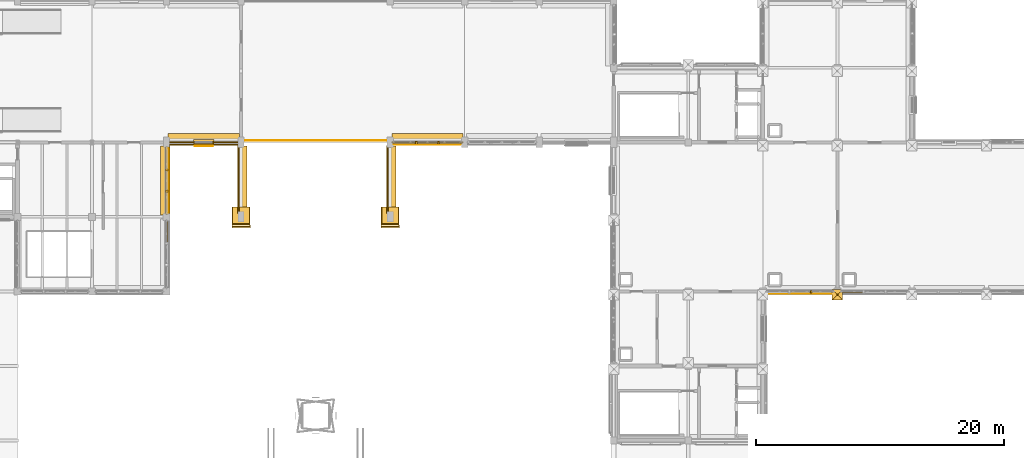
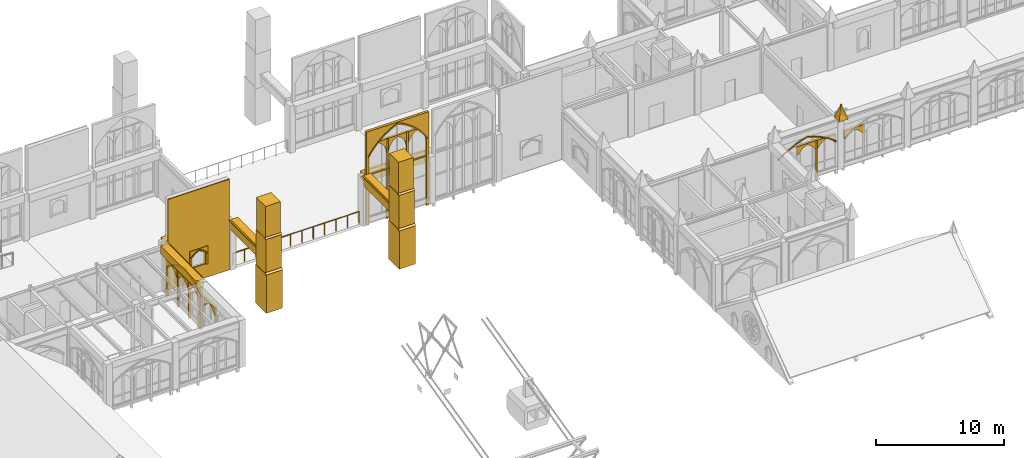
# One storey, part 99 of 108: 47 coverings, 1 railing.
"""IFC4 building model written with IfcOpenShell, lengths in metres."""

import ifcopenshell
import ifcopenshell.guid

model = None  # the IFC model being written
_history = None  # IfcOwnerHistory: only IFC2X3 demands one
_inside = {}  # id of a spatial element -> (the spatial element, [elements in it])
_under = {}  # id of a project, library or spatial element -> (it, [spatial elements below it])
_declared = {}  # id of a project -> (the project, [libraries it declares])
_typed = {}  # id of a type object -> (the type object, [elements of that type])
_made_of = {}  # id of a material, layer set ... -> (it, [elements and type objects made of it])


def new_model(schema):
    """Start an empty IFC model of exactly this schema.

    Asked for "IFC4X3", IfcOpenShell would pick the latest addendum, in which some entities
    have other attributes; the version numbers below select the first issue.
    IFC2X3 requires an IfcOwnerHistory on every rooted entity: one is made here for all.
    """
    global model, _history
    if schema == "IFC4X3":
        model = ifcopenshell.file(schema_version=(4, 3, 0, 0))
    else:
        model = ifcopenshell.file(schema=schema)
    _inside.clear()
    _under.clear()
    _declared.clear()
    _typed.clear()
    _made_of.clear()
    _history = None
    if model.schema == "IFC2X3":
        org = make("IfcOrganization", Name="unknown")
        user = make(
            "IfcPersonAndOrganization",
            ThePerson=make("IfcPerson", FamilyName="unknown"),
            TheOrganization=org,
        )
        app = make(
            "IfcApplication",
            ApplicationDeveloper=org,
            Version="unknown",
            ApplicationFullName="unknown",
            ApplicationIdentifier="unknown",
        )
        _history = make(
            "IfcOwnerHistory",
            OwningUser=user,
            OwningApplication=app,
            ChangeAction="ADDED",
            CreationDate=0,
        )
    return model


def make(cls, **values):
    """One entity of the class cls with the attributes given. An attribute that is None is left unset."""
    return model.create_entity(
        cls, **{name: value for name, value in values.items() if value is not None}
    )


def rooted(cls, **values):
    """An entity with a GlobalId (a new one), such as an element, a storey or a relation."""
    return make(cls, GlobalId=ifcopenshell.guid.new(), OwnerHistory=_history, **values)


def si_unit(unit_type, name, prefix=None):
    """IfcSIUnit, for example si_unit("LENGTHUNIT", "METRE", prefix="MILLI")."""
    return make("IfcSIUnit", UnitType=unit_type, Prefix=prefix, Name=name)


def assignment(units):
    """IfcUnitAssignment: the units of a project."""
    return None if units is None else make("IfcUnitAssignment", Units=units)


def point(xyz):
    """IfcCartesianPoint."""
    return None if xyz is None else make("IfcCartesianPoint", Coordinates=xyz)


def direction(xyz):
    """IfcDirection."""
    return None if xyz is None else make("IfcDirection", DirectionRatios=xyz)


def frame(location, z_axis=None, x_axis=None):
    """IfcAxis2Placement3D, a coordinate frame: its origin and axes. An axis left out is left unset."""
    return make(
        "IfcAxis2Placement3D",
        Location=point(location),
        Axis=direction(z_axis),
        RefDirection=direction(x_axis),
    )


def frame_2d(location, x_axis=None):
    """IfcAxis2Placement2D, a coordinate frame in the plane: its origin and x axis."""
    return make(
        "IfcAxis2Placement2D", Location=point(location), RefDirection=direction(x_axis)
    )


def origin():
    """The frame at (0, 0, 0) with its axes left unset."""
    return frame((0.0, 0.0, 0.0))


def origin_2d():
    """The frame at (0, 0) in the plane with its x axis left unset."""
    return frame_2d((0.0, 0.0))


def place(relative_to, where):
    """IfcLocalPlacement: puts the frame where relative to a parent placement (None: the world)."""
    return make(
        "IfcLocalPlacement", PlacementRelTo=relative_to, RelativePlacement=where
    )


def context(
    kind, dimensions, precision=None, world=None, true_north=None, identifier=None
):
    """IfcGeometricRepresentationContext, for example the 3D "Model" context."""
    return make(
        "IfcGeometricRepresentationContext",
        ContextIdentifier=identifier,
        ContextType=kind,
        CoordinateSpaceDimension=dimensions,
        Precision=precision,
        WorldCoordinateSystem=world,
        TrueNorth=true_north,
    )


def subcontext(parent, identifier, kind, view, scale=None):
    """IfcGeometricRepresentationSubContext, for example "Body" below "Model"."""
    return make(
        "IfcGeometricRepresentationSubContext",
        ContextIdentifier=identifier,
        ContextType=kind,
        ParentContext=parent,
        TargetScale=scale,
        TargetView=view,
    )


def project(units=None, contexts=None):
    """IfcProject with its units and contexts."""
    return rooted(
        "IfcProject",
        Name="project",
        RepresentationContexts=contexts,
        UnitsInContext=assignment(units),
    )


def spatial(cls, under=None, at=None, **own):
    """A site, building, storey or space (cls), placed at a placement, below another one or the project."""
    s = rooted(cls, ObjectPlacement=at, **own)
    if under is not None:
        _under.setdefault(under.id(), (under, []))[1].append(s)
    return s


def polyline(points):
    """IfcPolyline through the points."""
    return make("IfcPolyline", Points=[point(p) for p in points])


def profile(cls, at=None, kind="AREA", **sizes):
    """A parametric profile (cls). Its sizes go by their IFC names, for example OverallWidth=200.0."""
    return make(cls, ProfileType=kind, Position=at, **sizes)


def rectangle(**sizes):
    """IfcRectangleProfileDef."""
    return profile("IfcRectangleProfileDef", **sizes)


def circle(**sizes):
    """IfcCircleProfileDef."""
    return profile("IfcCircleProfileDef", **sizes)


def outline(outer, holes=None, kind="AREA"):
    """IfcArbitraryClosedProfileDef: a profile drawn as a closed curve; with holes, ...WithVoids."""
    if holes is None:
        return make("IfcArbitraryClosedProfileDef", ProfileType=kind, OuterCurve=outer)
    return make(
        "IfcArbitraryProfileDefWithVoids",
        ProfileType=kind,
        OuterCurve=outer,
        InnerCurves=holes,
    )


def extrude(swept, where, along, depth):
    """IfcExtrudedAreaSolid: the profile swept, set in the frame where, extruded along a direction by depth."""
    return make(
        "IfcExtrudedAreaSolid",
        SweptArea=swept,
        Position=where,
        ExtrudedDirection=direction(along),
        Depth=depth,
    )


def shape(context_of_items, identifier, shape_type, items):
    """IfcShapeRepresentation: the items that make up one representation, for example the "Body"."""
    return make(
        "IfcShapeRepresentation",
        ContextOfItems=context_of_items,
        RepresentationIdentifier=identifier,
        RepresentationType=shape_type,
        Items=items,
    )


def material(Name=None, Category=None):
    """IfcMaterial."""
    return make("IfcMaterial", Name=Name, Category=Category)


def made_of(thing, what):
    """Note that an element or type object is made of a material, layer set ...; save() writes the relation."""
    if what is not None:
        _made_of.setdefault(what.id(), (what, []))[1].append(thing)
    return thing


def type_object(cls, material=None, **own):
    """A type object (cls), such as IfcWallType, which elements share."""
    return made_of(rooted(cls, **own), material)


def element(
    cls,
    number,
    at=None,
    inside=None,
    cuts=None,
    type_object=None,
    material=None,
    context=None,
    identifier="Body",
    shape_type=None,
    held_by="IfcProductDefinitionShape",
    body=None,
    shapes=None,
    **own,
):
    """One element of the class cls, such as IfcWall. Its Tag is "e" and its number.

    at: its placement. inside: the storey or other place that contains it. cuts: it is an
    opening in that element (IfcRelVoidsElement). A single representation is given by context,
    identifier, shape_type and body (its items); several are given by shapes. held_by: the class
    of the entity that holds the representations. save() writes the other relations.
    """
    e = rooted(cls, Tag="e%d" % number, ObjectPlacement=at, **own)
    if body is not None:
        shapes = [shape(context, identifier, shape_type, body)]
    if shapes is not None:
        e.Representation = make(held_by, Representations=shapes)
    if inside is not None:
        _inside.setdefault(inside.id(), (inside, []))[1].append(e)
    if cuts is not None:
        rooted(
            "IfcRelVoidsElement", RelatingBuildingElement=cuts, RelatedOpeningElement=e
        )
    if type_object is not None:
        _typed.setdefault(type_object.id(), (type_object, []))[1].append(e)
    return made_of(e, material)


def aggregate(whole, parts):
    """IfcRelAggregates: a whole, such as a stair, and the parts it consists of."""
    return rooted("IfcRelAggregates", RelatingObject=whole, RelatedObjects=parts)


def save(model, path):
    """Write the relations noted so far, then the file.

    IfcRelAggregates (storeys below a building ...), IfcRelContainedInSpatialStructure (elements
    in a storey), IfcRelDefinesByType, IfcRelAssociatesMaterial and IfcRelDeclares: one each for
    every whole, place, type object, material and project.
    """
    for whole, parts in _under.values():
        aggregate(whole, parts)
    for where, things in _inside.values():
        rooted(
            "IfcRelContainedInSpatialStructure",
            RelatedElements=things,
            RelatingStructure=where,
        )
    for kind, things in _typed.values():
        rooted("IfcRelDefinesByType", RelatedObjects=things, RelatingType=kind)
    for what, things in _made_of.values():
        rooted("IfcRelAssociatesMaterial", RelatedObjects=things, RelatingMaterial=what)
    for by, libraries in _declared.values():
        rooted("IfcRelDeclares", RelatingContext=by, RelatedDefinitions=libraries)
    model.write(path)


model = new_model("IFC4")

# Units and contexts
model_context = context("Model", 3, precision=1e-05, world=origin(), true_north=direction((0.0, 1.0)))
body_context = subcontext(model_context, "Body", "Model", "MODEL_VIEW")
ifc_project = project(units=[si_unit("LENGTHUNIT", "METRE"), si_unit("AREAUNIT", "SQUARE_METRE"), si_unit("VOLUMEUNIT", "CUBIC_METRE"), si_unit("PLANEANGLEUNIT", "RADIAN"), si_unit("MASSUNIT", "GRAM", prefix="KILO")], contexts=[model_context])

# Site, building, storey
site_placement = place(None, origin())
site = spatial("IfcSite", under=ifc_project, at=site_placement, CompositionType="ELEMENT")
building_placement = place(site_placement, origin())
building = spatial("IfcBuilding", under=site, at=building_placement, Name="Cumevento Cable Car Station", CompositionType="ELEMENT")
storey_placement = place(building_placement, frame((0.0, 0.0, 13.5)))
storey = spatial("IfcBuildingStorey", under=building, at=storey_placement, Name="L04", CompositionType="ELEMENT", Elevation=13.5)

# Railing
ifc_material_1 = material(Name="Painted Galvanised Architectural Steel", Category="steel")
railing_type = type_object("IfcRailingType", Name="Terrace Guardrail GR-P115 1150", PredefinedType="GUARDRAIL", material=ifc_material_1)
railing_placement = place(storey_placement, frame((88.320068359375, 45.139892578125, 0.0)))
element("IfcRailing", 1, at=railing_placement, inside=storey, type_object=railing_type, Name="Boarding Hall South Downhill Cabin Throat Safety Balustrade", PredefinedType="GUARDRAIL", context=body_context, shape_type="SweptSolid", body=[
    extrude(circle(Radius=0.02392578125, at=origin_2d()), frame((0.0, 0.0, 1.1259765625), z_axis=(1.0, 0.0, 0.0), x_axis=(0.0, 1.0, 0.0)), (0.0, 0.0, 1.0), 11.35986328125),
    extrude(circle(Radius=0.02099609375, at=origin_2d()), origin(), (0.0, 0.0, 1.0), 1.101806640625),
    extrude(circle(Radius=0.02099609375, at=origin_2d()), frame((1.03271484375, 0.0, 0.0)), (0.0, 0.0, 1.0), 1.101806640625),
    extrude(circle(Radius=0.02099609375, at=origin_2d()), frame((2.0654296875, 0.0, 0.0)), (0.0, 0.0, 1.0), 1.101806640625),
    extrude(circle(Radius=0.02099609375, at=origin_2d()), frame((3.09814453125, 0.0, 0.0)), (0.0, 0.0, 1.0), 1.101806640625),
    extrude(circle(Radius=0.02099609375, at=origin_2d()), frame((4.130859375, 0.0, 0.0)), (0.0, 0.0, 1.0), 1.101806640625),
    extrude(circle(Radius=0.02099609375, at=origin_2d()), frame((5.16357421875, 0.0, 0.0)), (0.0, 0.0, 1.0), 1.101806640625),
    extrude(circle(Radius=0.02099609375, at=origin_2d()), frame((6.1962890625, 0.0, 0.0)), (0.0, 0.0, 1.0), 1.101806640625),
    extrude(circle(Radius=0.02099609375, at=origin_2d()), frame((7.22900390625, 0.0, 0.0)), (0.0, 0.0, 1.0), 1.101806640625),
    extrude(circle(Radius=0.02099609375, at=origin_2d()), frame((8.26171875, 0.0, 0.0)), (0.0, 0.0, 1.0), 1.101806640625),
    extrude(circle(Radius=0.02099609375, at=origin_2d()), frame((9.29443359375, 0.0, 0.0)), (0.0, 0.0, 1.0), 1.101806640625),
    extrude(circle(Radius=0.02099609375, at=origin_2d()), frame((10.3271484375, 0.0, 0.0)), (0.0, 0.0, 1.0), 1.101806640625),
    extrude(circle(Radius=0.02099609375, at=origin_2d()), frame((11.35986328125, 0.0, 0.0)), (0.0, 0.0, 1.0), 1.101806640625),
])

# Coverings
ifc_material_2 = material(Name="Gnaisse Facoidal Stone Ashlar 85 MPa", Category="masonry")
covering_type = type_object("IfcCoveringType", Name="Gnaisse Ashlar Cladding CV-CL01", PredefinedType="CLADDING", material=ifc_material_2)
for number, where, z_axis, x_axis, name in (
    (2, (135.580078125, 33.159912109375, 4.8701171875), (0.0, 0.951573760476, 0.30742052367), (1.0, 0.0, 0.0), "Gothic Buttress Pinnacle Spire Facet 1 bt:136.0:33.0"),
    (3, (136.419921875, 33.159912109375, 4.8701171875), (0.951573760476, 0.0, 0.30742052367), (0.0, -1.0, 0.0), "Gothic Buttress Pinnacle Spire Facet 2 bt:136.0:33.0"),
    (4, (136.419921875, 32.320068359375, 4.8701171875), (0.0, -0.951573760476, 0.30742052367), (-1.0, 0.0, 0.0), "Gothic Buttress Pinnacle Spire Facet 3 bt:136.0:33.0"),
    (5, (135.580078125, 32.320068359375, 4.8701171875), (-0.951573760476, 0.0, 0.30742052367), (0.0, 1.0, 0.0), "Gothic Buttress Pinnacle Spire Facet 4 bt:136.0:33.0"),
):
    element("IfcCovering", number, at=place(storey_placement, frame(where, z_axis=z_axis, x_axis=x_axis)), inside=storey, type_object=covering_type, Name=name, PredefinedType="CLADDING", context=body_context, shape_type="SweptSolid", body=[
        extrude(outline(polyline([(0.0, 0.0), (0.83984375, 0.0), (0.419921875, -1.3659526370817139), (0.0, 0.0)])), origin(), (0.0, 0.0, -1.0), 0.0849609375),
    ])
covering_1_placement = place(storey_placement, frame((81.85009765625, 41.925048828125, 3.737060546875), z_axis=(0.0, 0.0, 1.0), x_axis=(0.0, -1.0, 0.0)))
element("IfcCovering", 6, at=covering_1_placement, inside=storey, type_object=covering_type, Name="Gothic Stone Spandrel Stringcourse sc:0705", PredefinedType="CLADDING", context=body_context, shape_type="SweptSolid", body=[
    extrude(rectangle(XDim=5.5400390625, YDim=0.659912109375, at=origin_2d()), origin(), (0.0, 0.0, 1.0), 0.7470703125),
])
covering_2_placement = place(storey_placement, frame((82.20751953125, 41.925048828125, 4.35400390625), z_axis=(0.0, 0.0, 1.0), x_axis=(0.0, -1.0, 0.0)))
element("IfcCovering", 7, at=covering_2_placement, inside=storey, type_object=covering_type, Name="Gothic Cornice Dripstone Lip sc:0705", PredefinedType="CLADDING", context=body_context, shape_type="SweptSolid", body=[
    extrude(rectangle(XDim=5.580078125, YDim=0.114990234375, at=origin_2d()), origin(), (0.0, 0.0, 1.0), 0.1298828125),
])
covering_3_placement = place(storey_placement, frame((85.0, 45.3701171875, 3.737060546875), z_axis=(0.0, 0.0, 1.0), x_axis=(-1.0, 0.0, 0.0)))
element("IfcCovering", 8, at=covering_3_placement, inside=storey, type_object=covering_type, Name="Gothic Stone Spandrel Stringcourse sc:0733", PredefinedType="CLADDING", context=body_context, shape_type="SweptSolid", body=[
    extrude(rectangle(XDim=5.739990234375, YDim=0.659912109375, at=origin_2d()), origin(), (0.0, 0.0, 1.0), 0.7470703125),
])
covering_4_placement = place(storey_placement, frame((85.0, 45.012451171875, 4.35400390625), z_axis=(0.0, 0.0, 1.0), x_axis=(-1.0, 0.0, 0.0)))
element("IfcCovering", 9, at=covering_4_placement, inside=storey, type_object=covering_type, Name="Gothic Cornice Dripstone Lip sc:0733", PredefinedType="CLADDING", context=body_context, shape_type="SweptSolid", body=[
    extrude(rectangle(XDim=5.780029296875, YDim=0.114990234375, at=origin_2d()), origin(), (0.0, 0.0, 1.0), 0.1298828125),
])
covering_5_placement = place(storey_placement, frame((103.0, 45.3701171875, 3.782958984375), z_axis=(0.0, 0.0, 1.0), x_axis=(-1.0, 0.0, 0.0)))
element("IfcCovering", 10, at=covering_5_placement, inside=storey, type_object=covering_type, Name="Gothic Stone Spandrel Stringcourse sc:0737", PredefinedType="CLADDING", context=body_context, shape_type="SweptSolid", body=[
    extrude(rectangle(XDim=5.739990234375, YDim=0.659912109375, at=origin_2d()), origin(), (0.0, 0.0, 1.0), 0.7470703125),
])
covering_6_placement = place(storey_placement, frame((103.0, 45.012451171875, 4.400146484375), z_axis=(0.0, 0.0, 1.0), x_axis=(-1.0, 0.0, 0.0)))
element("IfcCovering", 11, at=covering_6_placement, inside=storey, type_object=covering_type, Name="Gothic Cornice Dripstone Lip sc:0737", PredefinedType="CLADDING", context=body_context, shape_type="SweptSolid", body=[
    extrude(rectangle(XDim=5.780029296875, YDim=0.114990234375, at=origin_2d()), origin(), (0.0, 0.0, 1.0), 0.1298828125),
])
covering_7_placement = place(storey_placement, frame((88.14306640625, 42.0, 3.83203125), z_axis=(0.0, 0.0, 1.0), x_axis=(0.0, 1.0, 0.0)))
element("IfcCovering", 12, at=covering_7_placement, inside=storey, type_object=covering_type, Name="Gothic Stone Spandrel Stringcourse sc:0870", PredefinedType="CLADDING", context=body_context, shape_type="SweptSolid", body=[
    extrude(rectangle(XDim=5.389892578125, YDim=0.674072265625, at=origin_2d()), origin(), (0.0, 0.0, 1.0), 0.947998046875),
])
covering_8_placement = place(storey_placement, frame((87.778564453125, 42.0, 4.650146484375), z_axis=(0.0, 0.0, 1.0), x_axis=(0.0, 1.0, 0.0)))
element("IfcCovering", 13, at=covering_8_placement, inside=storey, type_object=covering_type, Name="Gothic Cornice Dripstone Lip sc:0870", PredefinedType="CLADDING", context=body_context, shape_type="SweptSolid", body=[
    extrude(rectangle(XDim=5.429931640625, YDim=0.114990234375, at=origin_2d()), origin(), (0.0, 0.0, 1.0), 0.1298828125),
])
covering_9_placement = place(storey_placement, frame((100.14306640625, 42.0, 3.83203125), z_axis=(0.0, 0.0, 1.0), x_axis=(0.0, 1.0, 0.0)))
element("IfcCovering", 14, at=covering_9_placement, inside=storey, type_object=covering_type, Name="Gothic Stone Spandrel Stringcourse sc:0871", PredefinedType="CLADDING", context=body_context, shape_type="SweptSolid", body=[
    extrude(rectangle(XDim=5.389892578125, YDim=0.674072265625, at=origin_2d()), origin(), (0.0, 0.0, 1.0), 0.947998046875),
])
covering_10_placement = place(storey_placement, frame((99.778564453125, 42.0, 4.650146484375), z_axis=(0.0, 0.0, 1.0), x_axis=(0.0, 1.0, 0.0)))
element("IfcCovering", 15, at=covering_10_placement, inside=storey, type_object=covering_type, Name="Gothic Cornice Dripstone Lip sc:0871", PredefinedType="CLADDING", context=body_context, shape_type="SweptSolid", body=[
    extrude(rectangle(XDim=5.429931640625, YDim=0.114990234375, at=origin_2d()), origin(), (0.0, 0.0, 1.0), 0.1298828125),
])
covering_11_placement = place(storey_placement, frame((88.0, 38.969970703125, 0.0), z_axis=(0.0, 0.0, 1.0), x_axis=(1.0, 0.0, 0.0)))
element("IfcCovering", 16, at=covering_11_placement, inside=storey, type_object=covering_type, Name="Stepped Gothic Stone Buttress Tier 1 ptl_butt_f:2:88", PredefinedType="CLADDING", context=body_context, shape_type="SweptSolid", body=[
    extrude(rectangle(XDim=1.4599609375, YDim=1.659912109375, at=origin_2d()), origin(), (0.0, 0.0, 1.0), 3.68603515625),
])
covering_12_placement = place(storey_placement, frame((87.25, 38.1201171875, 3.666015625), z_axis=(0.0, -0.711135781079, 0.703054692658), x_axis=(1.0, 0.0, 0.0)))
element("IfcCovering", 17, at=covering_12_placement, inside=storey, type_object=covering_type, Name="Gothic Buttress Sloped Stone Weathering 1 ptl_butt_f:2:88", PredefinedType="CLADDING", context=body_context, shape_type="SweptSolid", body=[
    extrude(outline(polyline([(0.0, 0.0), (1.5, 0.0), (1.5, 0.24169083397703695), (0.0, 0.24169083397703695), (0.0, 0.0)])), origin(), (0.0, 0.0, -1.0), 0.090087890625),
])
covering_13_placement = place(storey_placement, frame((88.0, 39.030029296875, 3.4921875), z_axis=(0.0, 0.0, 1.0), x_axis=(1.0, 0.0, 0.0)))
element("IfcCovering", 18, at=covering_13_placement, inside=storey, type_object=covering_type, Name="Stepped Gothic Stone Buttress Tier 2 ptl_butt_f:2:88", PredefinedType="CLADDING", context=body_context, shape_type="SweptSolid", body=[
    extrude(rectangle(XDim=1.39990234375, YDim=1.5400390625, at=origin_2d()), origin(), (0.0, 0.0, 1.0), 3.491943359375),
])
covering_14_placement = place(storey_placement, frame((87.280029296875, 38.239990234375, 6.964111328125), z_axis=(0.0, -0.713916320815, 0.70023102393), x_axis=(1.0, 0.0, 0.0)))
element("IfcCovering", 19, at=covering_14_placement, inside=storey, type_object=covering_type, Name="Gothic Buttress Sloped Stone Weathering 2 ptl_butt_f:2:88", PredefinedType="CLADDING", context=body_context, shape_type="SweptSolid", body=[
    extrude(outline(polyline([(0.0, 0.0), (1.43994140625, 0.0), (1.43994140625, 0.21407555310624363), (0.0, 0.21407555310624363), (0.0, 0.0)])), origin(), (0.0, 0.0, -1.0), 0.090087890625),
])
covering_15_placement = place(storey_placement, frame((88.0, 39.080078125, 6.7900390625), z_axis=(0.0, 0.0, 1.0), x_axis=(1.0, 0.0, 0.0)))
element("IfcCovering", 20, at=covering_15_placement, inside=storey, type_object=covering_type, Name="Stepped Gothic Stone Buttress Tier 3 ptl_butt_f:2:88", PredefinedType="CLADDING", context=body_context, shape_type="SweptSolid", body=[
    extrude(rectangle(XDim=1.340087890625, YDim=1.43994140625, at=origin_2d()), origin(), (0.0, 0.0, 1.0), 3.25),
])
covering_16_placement = place(storey_placement, frame((100.0, 38.969970703125, 0.0), z_axis=(0.0, 0.0, 1.0), x_axis=(1.0, 0.0, 0.0)))
element("IfcCovering", 21, at=covering_16_placement, inside=storey, type_object=covering_type, Name="Stepped Gothic Stone Buttress Tier 1 ptl_butt_f:2:100", PredefinedType="CLADDING", context=body_context, shape_type="SweptSolid", body=[
    extrude(rectangle(XDim=1.4599609375, YDim=1.659912109375, at=origin_2d()), origin(), (0.0, 0.0, 1.0), 3.68603515625),
])
covering_17_placement = place(storey_placement, frame((99.25, 38.1201171875, 3.666015625), z_axis=(0.0, -0.711135781079, 0.703054692658), x_axis=(1.0, 0.0, 0.0)))
element("IfcCovering", 22, at=covering_17_placement, inside=storey, type_object=covering_type, Name="Gothic Buttress Sloped Stone Weathering 1 ptl_butt_f:2:100", PredefinedType="CLADDING", context=body_context, shape_type="SweptSolid", body=[
    extrude(outline(polyline([(0.0, 0.0), (1.5, 0.0), (1.5, 0.24169083397703695), (0.0, 0.24169083397703695), (0.0, 0.0)])), origin(), (0.0, 0.0, -1.0), 0.090087890625),
])
covering_18_placement = place(storey_placement, frame((100.0, 39.030029296875, 3.4921875), z_axis=(0.0, 0.0, 1.0), x_axis=(1.0, 0.0, 0.0)))
element("IfcCovering", 23, at=covering_18_placement, inside=storey, type_object=covering_type, Name="Stepped Gothic Stone Buttress Tier 2 ptl_butt_f:2:100", PredefinedType="CLADDING", context=body_context, shape_type="SweptSolid", body=[
    extrude(rectangle(XDim=1.39990234375, YDim=1.5400390625, at=origin_2d()), origin(), (0.0, 0.0, 1.0), 3.491943359375),
])
covering_19_placement = place(storey_placement, frame((99.280029296875, 38.239990234375, 6.964111328125), z_axis=(0.0, -0.713916320815, 0.70023102393), x_axis=(1.0, 0.0, 0.0)))
element("IfcCovering", 24, at=covering_19_placement, inside=storey, type_object=covering_type, Name="Gothic Buttress Sloped Stone Weathering 2 ptl_butt_f:2:100", PredefinedType="CLADDING", context=body_context, shape_type="SweptSolid", body=[
    extrude(outline(polyline([(0.0, 0.0), (1.43994140625, 0.0), (1.43994140625, 0.21407555310624363), (0.0, 0.21407555310624363), (0.0, 0.0)])), origin(), (0.0, 0.0, -1.0), 0.090087890625),
])
covering_20_placement = place(storey_placement, frame((100.0, 39.080078125, 6.7900390625), z_axis=(0.0, 0.0, 1.0), x_axis=(1.0, 0.0, 0.0)))
element("IfcCovering", 25, at=covering_20_placement, inside=storey, type_object=covering_type, Name="Stepped Gothic Stone Buttress Tier 3 ptl_butt_f:2:100", PredefinedType="CLADDING", context=body_context, shape_type="SweptSolid", body=[
    extrude(rectangle(XDim=1.340087890625, YDim=1.43994140625, at=origin_2d()), origin(), (0.0, 0.0, 1.0), 3.25),
])
covering_21_placement = place(storey_placement, frame((82.0, 38.594970703125, 2.36181640625), z_axis=(0.0, 0.0, 1.0), x_axis=(0.0, -1.0, 0.0)))
element("IfcCovering", 26, at=covering_21_placement, inside=storey, type_object=covering_type, Name="Gothic Ogival Pointed-Arch Stone Spandrel cw_ogival:0147:sub:0", PredefinedType="CLADDING", context=body_context, shape_type="SweptSolid", body=[
    extrude(outline(polyline([(-0.02001953125, 0.0), (-0.02001953125, 0.7705078125), (1.68994140625, 0.7705078125), (1.68994140625, 0.0), (1.6298828125, 0.0), (1.528564453125, 0.141357421875), (1.412841796875, 0.271240234375), (1.2841796875, 0.388427734375), (1.143798828125, 0.491455078125), (0.99365234375, 0.5791015625), (0.8349609375, 0.650390625), (0.67626953125, 0.5791015625), (0.526123046875, 0.491455078125), (0.3857421875, 0.388427734375), (0.257080078125, 0.271240234375), (0.141357421875, 0.141357421875), (0.0400390625, 0.0), (-0.02001953125, 0.0)])), frame((0.0, 0.1240234375, 0.0), z_axis=(0.0, -1.0, 0.0), x_axis=(1.0, 0.0, 0.0)), (0.0, 0.0, 1.0), 0.199951171875),
])
placement_1 = place(storey_placement, frame((82.0, 44.574951171875, -0.320068359375), z_axis=(0.0, 0.0, 1.0), x_axis=(0.0, -1.0, 0.0)))
element("IfcCovering", 27, at=placement_1, inside=storey, type_object=covering_type, Name="Gothic Ogival Pointed-Arch Stone Spandrel cw_ogival:0148", PredefinedType="CLADDING", context=body_context, shape_type="SweptSolid", body=[
    extrude(outline(polyline([(-0.080078125, 0.0), (-0.080078125, 4.197021484375), (5.3798828125, 4.197021484375), (5.3798828125, 0.0), (5.139892578125, 0.0), (5.139892578125, 2.879638671875), (4.855224609375, 3.071044921875), (4.561279296875, 3.24853515625), (4.259033203125, 3.411376953125), (3.949462890625, 3.559326171875), (3.6328125, 3.6923828125), (3.310302734375, 3.809814453125), (2.982421875, 3.911376953125), (2.64990234375, 3.996826171875), (2.317626953125, 3.911376953125), (1.98974609375, 3.809814453125), (1.667236328125, 3.6923828125), (1.3505859375, 3.559326171875), (1.041015625, 3.411376953125), (0.73876953125, 3.24853515625), (0.44482421875, 3.071044921875), (0.159912109375, 2.879638671875), (0.159912109375, 0.0), (-0.080078125, 0.0)])), frame((0.0, 0.139892578125, 0.0), z_axis=(0.0, -1.0, 0.0), x_axis=(1.0, 0.0, 0.0)), (0.0, 0.0, 1.0), 0.219970703125),
])
covering_23_placement = place(storey_placement, frame((82.0, 44.574951171875, 2.559814453125), z_axis=(0.0, 0.0, 1.0), x_axis=(0.0, -1.0, 0.0)))
element("IfcCovering", 28, at=covering_23_placement, inside=storey, type_object=covering_type, Name="Gothic Pointed Archivolt Hood Moulding cw_ogival:0148", PredefinedType="CLADDING", context=body_context, shape_type="SweptSolid", body=[
    extrude(outline(polyline([(0.159912109375, 0.0), (0.44482421875, 0.19140625), (0.73876953125, 0.368896484375), (1.041015625, 0.53173828125), (1.3505859375, 0.6796875), (1.667236328125, 0.812744140625), (1.98974609375, 0.93017578125), (2.317626953125, 1.03173828125), (2.64990234375, 1.1171875), (2.982421875, 1.03173828125), (3.310302734375, 0.93017578125), (3.6328125, 0.812744140625), (3.949462890625, 0.6796875), (4.259033203125, 0.53173828125), (4.561279296875, 0.368896484375), (4.855224609375, 0.19140625), (5.139892578125, 0.0), (5.25, 0.0), (4.95654296875, 0.21435546875), (4.65234375, 0.4130859375), (4.33837890625, 0.595947265625), (4.01513671875, 0.76220703125), (3.683837890625, 0.911865234375), (3.345458984375, 1.0439453125), (3.00048828125, 1.158447265625), (2.64990234375, 1.2548828125), (2.299560546875, 1.158447265625), (1.95458984375, 1.0439453125), (1.6162109375, 0.911865234375), (1.284912109375, 0.76220703125), (0.961669921875, 0.595947265625), (0.647705078125, 0.4130859375), (0.343505859375, 0.21435546875), (0.050048828125, 0.0), (0.159912109375, 0.0)])), frame((0.0, 0.181884765625, 0.0), z_axis=(0.0, -1.0, 0.0), x_axis=(1.0, 0.0, 0.0)), (0.0, 0.0, 1.0), 0.06689453125),
])
element("IfcCovering", 29, at=placement_1, inside=storey, type_object=covering_type, Name="Gothic Bifora Stone Colonnette cw_ogival:0148 #1", PredefinedType="CLADDING", context=body_context, shape_type="SweptSolid", body=[
    extrude(outline(polyline([(1.719970703125, -0.02001953125), (1.8701171875, -0.02001953125), (1.8701171875, 3.460693359375), (1.719970703125, 3.460693359375), (1.719970703125, -0.02001953125)])), frame((0.0, 0.1279296875, 0.0), z_axis=(0.0, -1.0, 0.0), x_axis=(1.0, 0.0, 0.0)), (0.0, 0.0, 1.0), 0.205078125),
])
element("IfcCovering", 30, at=placement_1, inside=storey, type_object=covering_type, Name="Gothic Bifora Stone Colonnette cw_ogival:0148 #2", PredefinedType="CLADDING", context=body_context, shape_type="SweptSolid", body=[
    extrude(outline(polyline([(3.429931640625, -0.02001953125), (3.580078125, -0.02001953125), (3.580078125, 3.460693359375), (3.429931640625, 3.460693359375), (3.429931640625, -0.02001953125)])), frame((0.0, 0.1279296875, 0.0), z_axis=(0.0, -1.0, 0.0), x_axis=(1.0, 0.0, 0.0)), (0.0, 0.0, 1.0), 0.205078125),
])
for number, where, z_axis, x_axis, name in (
    (31, (82.0, 44.445068359375, 2.379638671875), (0.0, 0.0, 1.0), (0.0, -1.0, 0.0), "Gothic Ogival Pointed-Arch Stone Spandrel cw_ogival:0148:sub:0"),
    (32, (82.0, 42.735107421875, 2.379638671875), (0.0, 0.0, 1.0), (0.0, -1.0, 0.0), "Gothic Ogival Pointed-Arch Stone Spandrel cw_ogival:0148:sub:1"),
    (33, (82.0, 41.02490234375, 2.379638671875), (0.0, 0.0, 1.0), (0.0, -1.0, 0.0), "Gothic Ogival Pointed-Arch Stone Spandrel cw_ogival:0148:sub:2"),
):
    element("IfcCovering", number, at=place(storey_placement, frame(where, z_axis=z_axis, x_axis=x_axis)), inside=storey, type_object=covering_type, Name=name, PredefinedType="CLADDING", context=body_context, shape_type="SweptSolid", body=[
        extrude(outline(polyline([(-0.02001953125, 0.0), (-0.02001953125, 0.760986328125), (1.639892578125, 0.760986328125), (1.639892578125, 0.0), (1.580078125, 0.0), (1.48291015625, 0.13916015625), (1.371337890625, 0.26708984375), (1.246826171875, 0.382568359375), (1.110595703125, 0.484130859375), (0.964599609375, 0.570556640625), (0.81005859375, 0.64111328125), (0.655517578125, 0.570556640625), (0.509521484375, 0.484130859375), (0.373291015625, 0.382568359375), (0.248779296875, 0.26708984375), (0.13720703125, 0.13916015625), (0.0400390625, 0.0), (-0.02001953125, 0.0)])), frame((0.0, 0.1240234375, 0.0), z_axis=(0.0, -1.0, 0.0), x_axis=(1.0, 0.0, 0.0)), (0.0, 0.0, 1.0), 0.199951171875),
    ])
placement_2 = place(storey_placement, frame((105.75, 45.0, -0.219970703125), z_axis=(0.0, 0.0, 1.0), x_axis=(-1.0, 0.0, 0.0)))
element("IfcCovering", 34, at=placement_2, inside=storey, type_object=covering_type, Name="Gothic Ogival Pointed-Arch Stone Spandrel cw_ogival:0166", PredefinedType="CLADDING", context=body_context, shape_type="SweptSolid", body=[
    extrude(outline(polyline([(-0.080078125, 0.0), (-0.080078125, 8.89306640625), (5.580078125, 8.89306640625), (5.580078125, 0.0), (5.340087890625, 0.0), (5.340087890625, 6.462890625), (5.10400390625, 6.828125), (4.8388671875, 7.172607421875), (4.546630859375, 7.49462890625), (4.22900390625, 7.79150390625), (3.88818359375, 8.0615234375), (3.5263671875, 8.302734375), (3.146240234375, 8.513916015625), (2.75, 8.693115234375), (2.353759765625, 8.513916015625), (1.9736328125, 8.302734375), (1.61181640625, 8.0615234375), (1.27099609375, 7.79150390625), (0.953369140625, 7.49462890625), (0.6611328125, 7.172607421875), (0.39599609375, 6.828125), (0.159912109375, 6.462890625), (0.159912109375, 0.0), (-0.080078125, 0.0)])), frame((0.0, 0.139892578125, 0.0), z_axis=(0.0, -1.0, 0.0), x_axis=(1.0, 0.0, 0.0)), (0.0, 0.0, 1.0), 0.219970703125),
])
covering_27_placement = place(storey_placement, frame((105.75, 45.0, 6.242919921875), z_axis=(0.0, 0.0, 1.0), x_axis=(-1.0, 0.0, 0.0)))
element("IfcCovering", 35, at=covering_27_placement, inside=storey, type_object=covering_type, Name="Gothic Pointed Archivolt Hood Moulding cw_ogival:0166", PredefinedType="CLADDING", context=body_context, shape_type="SweptSolid", body=[
    extrude(outline(polyline([(0.159912109375, 0.0), (0.39599609375, 0.365234375), (0.6611328125, 0.709716796875), (0.953369140625, 1.03173828125), (1.27099609375, 1.32861328125), (1.61181640625, 1.5986328125), (1.9736328125, 1.83984375), (2.353759765625, 2.05078125), (2.75, 2.22998046875), (3.146240234375, 2.05078125), (3.5263671875, 1.83984375), (3.88818359375, 1.5986328125), (4.22900390625, 1.32861328125), (4.546630859375, 1.03173828125), (4.8388671875, 0.709716796875), (5.10400390625, 0.365234375), (5.340087890625, 0.0), (5.449951171875, 0.0), (5.206787109375, 0.386962890625), (4.932373046875, 0.75244140625), (4.628662109375, 1.093994140625), (4.2978515625, 1.409423828125), (3.94189453125, 1.6962890625), (3.563720703125, 1.95263671875), (3.16552734375, 2.177001953125), (2.75, 2.367431640625), (2.33447265625, 2.177001953125), (1.936279296875, 1.95263671875), (1.55810546875, 1.6962890625), (1.2021484375, 1.409423828125), (0.871337890625, 1.093994140625), (0.567626953125, 0.75244140625), (0.293212890625, 0.386962890625), (0.050048828125, 0.0), (0.159912109375, 0.0)])), frame((0.0, 0.181884765625, 0.0), z_axis=(0.0, -1.0, 0.0), x_axis=(1.0, 0.0, 0.0)), (0.0, 0.0, 1.0), 0.06689453125),
])
element("IfcCovering", 36, at=placement_2, inside=storey, type_object=covering_type, Name="Gothic Bifora Stone Colonnette cw_ogival:0166 #1", PredefinedType="CLADDING", context=body_context, shape_type="SweptSolid", body=[
    extrude(outline(polyline([(1.78662109375, -0.02001953125), (1.936767578125, -0.02001953125), (1.936767578125, 7.62255859375), (1.78662109375, 7.62255859375), (1.78662109375, -0.02001953125)])), frame((0.0, 0.1279296875, 0.0), z_axis=(0.0, -1.0, 0.0), x_axis=(1.0, 0.0, 0.0)), (0.0, 0.0, 1.0), 0.205078125),
])
element("IfcCovering", 37, at=placement_2, inside=storey, type_object=covering_type, Name="Gothic Bifora Stone Colonnette cw_ogival:0166 #2", PredefinedType="CLADDING", context=body_context, shape_type="SweptSolid", body=[
    extrude(outline(polyline([(3.563232421875, -0.02001953125), (3.71337890625, -0.02001953125), (3.71337890625, 7.62255859375), (3.563232421875, 7.62255859375), (3.563232421875, -0.02001953125)])), frame((0.0, 0.1279296875, 0.0), z_axis=(0.0, -1.0, 0.0), x_axis=(1.0, 0.0, 0.0)), (0.0, 0.0, 1.0), 0.205078125),
])
for number, where, z_axis, x_axis, name in (
    (38, (105.6201171875, 45.0, 6.06298828125), (0.0, 0.0, 1.0), (-1.0, 0.0, 0.0), "Gothic Ogival Pointed-Arch Stone Spandrel cw_ogival:0166:sub:0"),
    (39, (103.84326171875, 45.0, 6.06298828125), (0.0, 0.0, 1.0), (-1.0, 0.0, 0.0), "Gothic Ogival Pointed-Arch Stone Spandrel cw_ogival:0166:sub:1"),
    (40, (102.066650390625, 45.0, 6.06298828125), (0.0, 0.0, 1.0), (-1.0, 0.0, 0.0), "Gothic Ogival Pointed-Arch Stone Spandrel cw_ogival:0166:sub:2"),
):
    element("IfcCovering", number, at=place(storey_placement, frame(where, z_axis=z_axis, x_axis=x_axis)), inside=storey, type_object=covering_type, Name=name, PredefinedType="CLADDING", context=body_context, shape_type="SweptSolid", body=[
        extrude(outline(polyline([(-0.02001953125, 0.0), (-0.02001953125, 1.339599609375), (1.706787109375, 1.339599609375), (1.706787109375, 0.0), (1.646728515625, 0.0), (1.621826171875, 0.256103515625), (1.5478515625, 0.502685546875), (1.427978515625, 0.730224609375), (1.26611328125, 0.930419921875), (1.06884765625, 1.095458984375), (0.84326171875, 1.219482421875), (0.617919921875, 1.095458984375), (0.420654296875, 0.930419921875), (0.2587890625, 0.730224609375), (0.138916015625, 0.502685546875), (0.06494140625, 0.256103515625), (0.0400390625, 0.0), (-0.02001953125, 0.0)])), frame((0.0, 0.1240234375, 0.0), z_axis=(0.0, -1.0, 0.0), x_axis=(1.0, 0.0, 0.0)), (0.0, 0.0, 1.0), 0.199951171875),
    ])
covering_30_placement = place(storey_placement, frame((135.72509765625, 33.0, 2.713134765625), z_axis=(0.0, 0.0, 1.0), x_axis=(-1.0, 0.0, 0.0)))
element("IfcCovering", 41, at=covering_30_placement, inside=storey, type_object=covering_type, Name="Gothic Pointed Archivolt Hood Moulding cw_ogival:0178", PredefinedType="CLADDING", context=body_context, shape_type="SweptSolid", body=[
    extrude(outline(polyline([(0.159912109375, 0.0), (0.448486328125, 0.215087890625), (0.748046875, 0.41455078125), (1.057373046875, 0.59814453125), (1.376220703125, 0.76513671875), (1.703125, 0.915283203125), (2.03759765625, 1.0478515625), (2.37841796875, 1.162841796875), (2.72509765625, 1.260009765625), (3.071533203125, 1.162841796875), (3.412353515625, 1.0478515625), (3.746826171875, 0.915283203125), (4.07373046875, 0.76513671875), (4.392578125, 0.59814453125), (4.701904296875, 0.41455078125), (5.00146484375, 0.215087890625), (5.2900390625, 0.0), (5.39990234375, 0.0), (5.10302734375, 0.23779296875), (4.79345703125, 0.45849609375), (4.47216796875, 0.662109375), (4.14013671875, 0.847412109375), (3.79833984375, 1.01416015625), (3.44775390625, 1.16162109375), (3.089599609375, 1.28955078125), (2.72509765625, 1.3974609375), (2.3603515625, 1.28955078125), (2.002197265625, 1.16162109375), (1.651611328125, 1.01416015625), (1.309814453125, 0.847412109375), (0.977783203125, 0.662109375), (0.656494140625, 0.45849609375), (0.346923828125, 0.23779296875), (0.050048828125, 0.0), (0.159912109375, 0.0)])), frame((0.0, 0.181884765625, 0.0), z_axis=(0.0, -1.0, 0.0), x_axis=(1.0, 0.0, 0.0)), (0.0, 0.0, 1.0), 0.06689453125),
])
covering_31_placement = place(storey_placement, frame((135.72509765625, 33.0, -0.419921875), z_axis=(0.0, 0.0, 1.0), x_axis=(-1.0, 0.0, 0.0)))
element("IfcCovering", 42, at=covering_31_placement, inside=storey, type_object=covering_type, Name="Gothic Bifora Stone Colonnette cw_ogival:0178 #1", PredefinedType="CLADDING", context=body_context, shape_type="SweptSolid", body=[
    extrude(outline(polyline([(1.77001953125, -0.02001953125), (1.919921875, -0.02001953125), (1.919921875, 3.7880859375), (1.77001953125, 3.7880859375), (1.77001953125, -0.02001953125)])), frame((0.0, 0.1279296875, 0.0), z_axis=(0.0, -1.0, 0.0), x_axis=(1.0, 0.0, 0.0)), (0.0, 0.0, 1.0), 0.205078125),
])
for number, where, z_axis, x_axis, name in (
    (43, (135.594970703125, 33.0, 2.533203125), (0.0, 0.0, 1.0), (-1.0, 0.0, 0.0), "Gothic Ogival Pointed-Arch Stone Spandrel cw_ogival:0178:sub:0"),
    (44, (133.8349609375, 33.0, 2.533203125), (0.0, 0.0, 1.0), (-1.0, 0.0, 0.0), "Gothic Ogival Pointed-Arch Stone Spandrel cw_ogival:0178:sub:1"),
):
    element("IfcCovering", number, at=place(storey_placement, frame(where, z_axis=z_axis, x_axis=x_axis)), inside=storey, type_object=covering_type, Name=name, PredefinedType="CLADDING", context=body_context, shape_type="SweptSolid", body=[
        extrude(outline(polyline([(-0.02001953125, 0.0), (-0.02001953125, 0.835205078125), (1.68994140625, 0.835205078125), (1.68994140625, 0.0), (1.6298828125, 0.0), (1.533935546875, 0.154052734375), (1.421142578125, 0.29638671875), (1.293212890625, 0.425048828125), (1.151611328125, 0.538818359375), (0.998291015625, 0.6357421875), (0.8349609375, 0.715087890625), (0.671630859375, 0.6357421875), (0.518310546875, 0.538818359375), (0.376708984375, 0.425048828125), (0.248779296875, 0.29638671875), (0.135986328125, 0.154052734375), (0.0400390625, 0.0), (-0.02001953125, 0.0)])), frame((0.0, 0.1240234375, 0.0), z_axis=(0.0, -1.0, 0.0), x_axis=(1.0, 0.0, 0.0)), (0.0, 0.0, 1.0), 0.199951171875),
    ])
covering_32_placement = place(storey_placement, frame((138.074951171875, 33.0, 2.569091796875), z_axis=(0.0, 0.0, 1.0), x_axis=(-1.0, 0.0, 0.0)))
element("IfcCovering", 45, at=covering_32_placement, inside=storey, type_object=covering_type, Name="Gothic Ogival Pointed-Arch Stone Spandrel cw_ogival:0180:sub:2", PredefinedType="CLADDING", context=body_context, shape_type="SweptSolid", body=[
    extrude(outline(polyline([(-0.02001953125, 0.0), (-0.02001953125, 0.81640625), (1.68994140625, 0.81640625), (1.68994140625, 0.0), (1.6298828125, 0.0), (1.5322265625, 0.150390625), (1.418701171875, 0.2890625), (1.29052734375, 0.41455078125), (1.1494140625, 0.525146484375), (0.996826171875, 0.619384765625), (0.8349609375, 0.6962890625), (0.673095703125, 0.619384765625), (0.5205078125, 0.525146484375), (0.37939453125, 0.41455078125), (0.251220703125, 0.2890625), (0.1376953125, 0.150390625), (0.0400390625, 0.0), (-0.02001953125, 0.0)])), frame((0.0, 0.1240234375, 0.0), z_axis=(0.0, -1.0, 0.0), x_axis=(1.0, 0.0, 0.0)), (0.0, 0.0, 1.0), 0.199951171875),
])
covering_33_placement = place(storey_placement, frame((87.75, 45.0, 0.0), z_axis=(0.0, 0.0, 1.0), x_axis=(-1.0, 0.0, 0.0)))
element("IfcCovering", 46, at=covering_33_placement, inside=storey, type_object=covering_type, Name="Exterior Gnaisse Stone Wall Ashlar #279", PredefinedType="CLADDING", context=body_context, shape_type="SweptSolid", body=[
    extrude(outline(polyline([(-0.0400390625, -0.02001953125), (5.5400390625, -0.02001953125), (5.5400390625, 8.613037109375), (-0.0400390625, 8.613037109375), (-0.0400390625, -0.02001953125)]), holes=[polyline([(2.110107421875, 1.31005859375), (3.389892578125, 1.31005859375), (3.389892578125, 2.739990234375), (2.110107421875, 2.739990234375), (2.110107421875, 1.31005859375)])]), frame((0.0, 0.2451171875, 0.0), z_axis=(0.0, -1.0, 0.0), x_axis=(1.0, 0.0, 0.0)), (0.0, 0.0, 1.0), 0.0849609375),
])
covering_34_placement = place(storey_placement, frame((85.7900390625, 45.0, 1.25), z_axis=(0.0, 0.0, 1.0), x_axis=(-1.0, 0.0, 0.0)))
element("IfcCovering", 47, at=covering_34_placement, inside=storey, type_object=covering_type, Name="Gothic Ogival Pointed-Arch Stone Spandrel op_ogival:0279:1", PredefinedType="CLADDING", context=body_context, shape_type="SweptSolid", body=[
    extrude(outline(polyline([(-0.0400390625, 0.0), (-0.0400390625, 1.719970703125), (1.6201171875, 1.719970703125), (1.6201171875, 0.0), (1.43994140625, 0.0), (1.43994140625, 1.093994140625), (1.36376953125, 1.1787109375), (1.28125, 1.25732421875), (1.1923828125, 1.3291015625), (1.098388671875, 1.3935546875), (0.999755859375, 1.450439453125), (0.896728515625, 1.499267578125), (0.7900390625, 1.5400390625), (0.683349609375, 1.499267578125), (0.580322265625, 1.450439453125), (0.481689453125, 1.3935546875), (0.3876953125, 1.3291015625), (0.298828125, 1.25732421875), (0.21630859375, 1.1787109375), (0.139892578125, 1.093994140625), (0.139892578125, 0.0), (-0.0400390625, 0.0)])), frame((0.0, 0.282958984375, 0.0), z_axis=(0.0, -1.0, 0.0), x_axis=(1.0, 0.0, 0.0)), (0.0, 0.0, 1.0), 0.52001953125),
])
covering_35_placement = place(storey_placement, frame((85.7900390625, 45.0, 2.343994140625), z_axis=(0.0, 0.0, 1.0), x_axis=(-1.0, 0.0, 0.0)))
element("IfcCovering", 48, at=covering_35_placement, inside=storey, type_object=covering_type, Name="Gothic Pointed Archivolt Hood Moulding op_ogival:0279:1", PredefinedType="CLADDING", context=body_context, shape_type="SweptSolid", body=[
    extrude(outline(polyline([(0.139892578125, 0.0), (0.21630859375, 0.084716796875), (0.298828125, 0.163330078125), (0.3876953125, 0.235107421875), (0.481689453125, 0.299560546875), (0.580322265625, 0.3564453125), (0.683349609375, 0.4052734375), (0.7900390625, 0.446044921875), (0.896728515625, 0.4052734375), (0.999755859375, 0.3564453125), (1.098388671875, 0.299560546875), (1.1923828125, 0.235107421875), (1.28125, 0.163330078125), (1.36376953125, 0.084716796875), (1.43994140625, 0.0), (1.5390625, 0.0), (1.455078125, 0.107421875), (1.362060546875, 0.207275390625), (1.260986328125, 0.298828125), (1.15234375, 0.38134765625), (1.037109375, 0.45458984375), (0.916015625, 0.517333984375), (0.7900390625, 0.56982421875), (0.6640625, 0.517333984375), (0.54296875, 0.45458984375), (0.427734375, 0.38134765625), (0.319091796875, 0.298828125), (0.218017578125, 0.207275390625), (0.125, 0.107421875), (0.041015625, 0.0), (0.139892578125, 0.0)])), frame((0.0, 0.324951171875, 0.0), z_axis=(0.0, -1.0, 0.0), x_axis=(1.0, 0.0, 0.0)), (0.0, 0.0, 1.0), 0.06689453125),
])

save(model, "model.ifc")
